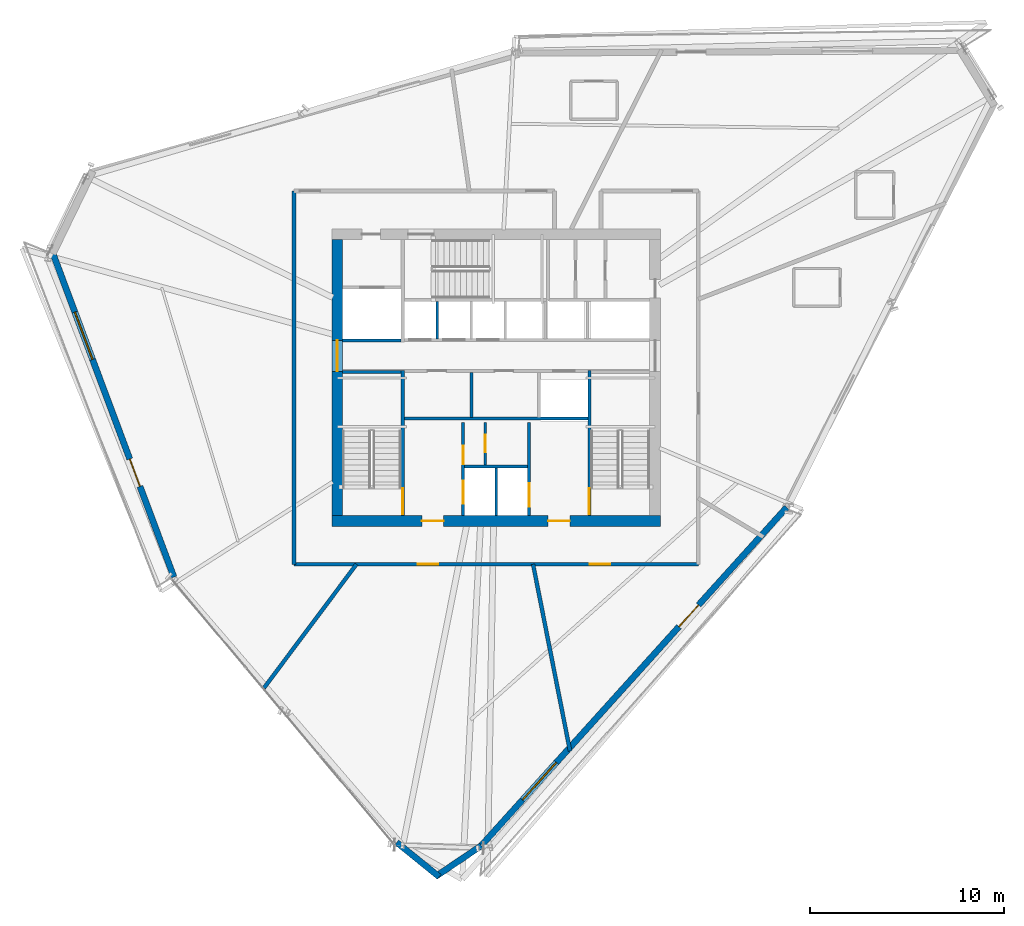
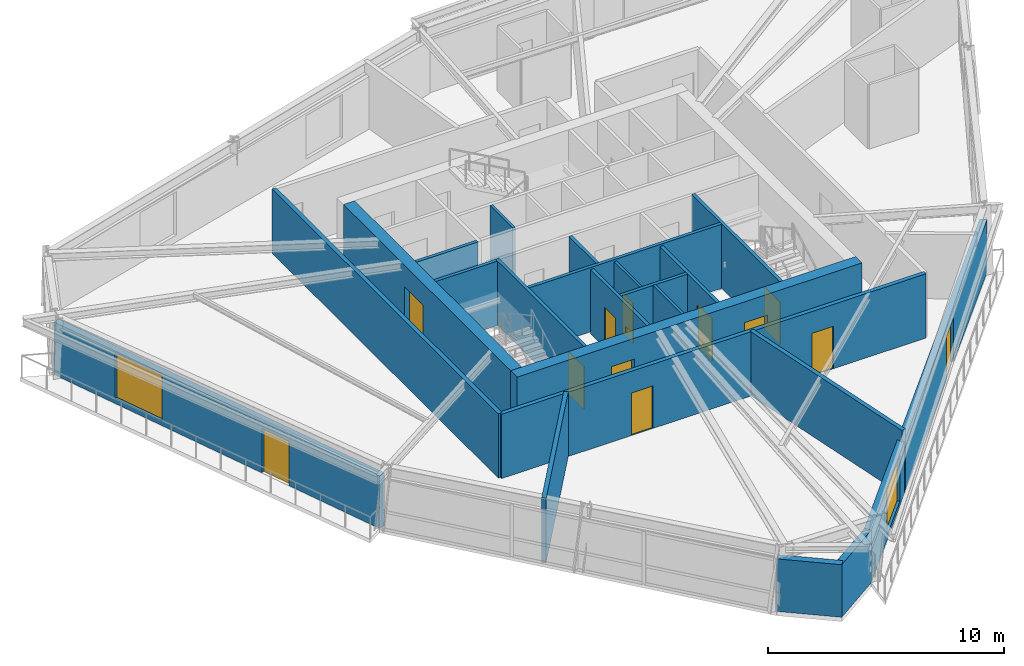
# One storey, part 9 of 15: 22 walls, 13 doors, 2 windows, 15 openings.
"""IFC4 building model written with IfcOpenShell, lengths in metres."""

from ifc_helpers import new_model, si_unit, direction, frame, frame_2d, origin, place, context, subcontext, project, spatial, rectangle, extrude, source, transform, mapped, material, layer, layer_set, type_object, type_shapes, element, fill, save


model = new_model("IFC4")

# Units and contexts
model_context = context("Model", 3, precision=1e-05, world=origin(), true_north=direction((0.0, 1.0)))
body_context = subcontext(model_context, "Body", "Model", "MODEL_VIEW")
ifc_project = project(units=[si_unit("LENGTHUNIT", "METRE"), si_unit("AREAUNIT", "SQUARE_METRE"), si_unit("VOLUMEUNIT", "CUBIC_METRE"), si_unit("PLANEANGLEUNIT", "RADIAN"), si_unit("MASSUNIT", "GRAM", prefix="KILO")], contexts=[model_context])

# Site, building, storey
site_placement = place(None, origin())
site = spatial("IfcSite", under=ifc_project, at=site_placement, CompositionType="ELEMENT")
building_placement = place(site_placement, origin())
building = spatial("IfcBuilding", under=site, at=building_placement, Name="Olszyna Solenne Hotel", CompositionType="ELEMENT")
storey_placement = place(building_placement, frame((0.0, 0.0, 164.35009765625)))
storey = spatial("IfcBuildingStorey", under=building, at=storey_placement, Name="L43", CompositionType="ELEMENT", Elevation=164.35009765625)

# Wall, openings, doors
ifc_material_1 = material(Name="Concrete C50/60", Category="concrete")
ifc_layer_1 = layer(ifc_material_1, 0.550048828125, Name="Concrete C50/60")
ifc_layer_set_1 = layer_set([ifc_layer_1], Name="Concrete C50/60")
wall_type_1 = type_object("IfcWallType", Name="WL-CR550", PredefinedType="SHEAR", material=ifc_layer_set_1)
wall_1_placement = place(storey_placement, frame((46.449951171875, 19.22509765625, 0.0), z_axis=(0.0, 0.0, 1.0), x_axis=(-1.0, 0.0, 0.0)))
wall_1 = element("IfcWall", 1, at=wall_1_placement, inside=storey, type_object=wall_type_1, Name="Core shear wall WL-CR550 CRW-L43-S", PredefinedType="SHEAR", context=body_context, shape_type="SweptSolid", body=[
    extrude(rectangle(XDim=16.89990234375, YDim=0.550048828125, at=frame_2d((8.449951171875, 0.0))), origin(), (0.0, 0.0, 1.0), 3.329833984375),
])
opening_1_placement = place(wall_1_placement, frame((4.64990234375, 0.0, 0.0)))
opening_1 = element("IfcOpeningElement", 2, at=opening_1_placement, cuts=wall_1, Name="Opening FL-L43-1", PredefinedType="OPENING", context=body_context, shape_type="SweptSolid", body=[
    extrude(rectangle(XDim=1.1201171875, YDim=2.25, at=frame_2d((0.56005859375, 1.125))), frame((0.0, 0.28515625, 0.0), z_axis=(0.0, -1.0, 0.0), x_axis=(1.0, 0.0, 0.0)), (0.0, 0.0, 1.0), 0.570068359375),
])
opening_2_placement = place(wall_1_placement, frame((11.14990234375, 0.0, 0.0)))
opening_2 = element("IfcOpeningElement", 3, at=opening_2_placement, cuts=wall_1, Name="Opening FL-L43-2", PredefinedType="OPENING", context=body_context, shape_type="SweptSolid", body=[
    extrude(rectangle(XDim=1.1201171875, YDim=2.25, at=frame_2d((0.56005859375, 1.125))), frame((0.0, 0.28515625, 0.0), z_axis=(0.0, -1.0, 0.0), x_axis=(1.0, 0.0, 0.0)), (0.0, 0.0, 1.0), 0.570068359375),
])
ifc_material_2 = material(Name="Steel S355J2", Category="steel")
door_type_1 = type_object("IfcDoorType", Name="DR-FL1", OperationType="NOTDEFINED", PredefinedType="DOOR", material=ifc_material_2)
shared_shape_1 = source(origin(), body_context, "Body", "SweptSolid", [
    extrude(rectangle(XDim=1.1201171875, YDim=2.25, at=frame_2d((0.56005859375, 1.125))), frame((0.0, 0.02490234375, 0.0), z_axis=(0.0, -1.0, 0.0), x_axis=(1.0, 0.0, 0.0)), (0.0, 0.0, 1.0), 0.050048828125),
])
type_shapes(door_type_1, [shared_shape_1])
door_1_placement = place(opening_1_placement, origin())
door_1 = element("IfcDoor", 4, at=door_1_placement, inside=storey, type_object=door_type_1, Name="Firefighting lift lobby smoke door FL-L43-1", OperationType="SINGLE_SWING_LEFT", OverallHeight=2.25, OverallWidth=1.1201171875, PredefinedType="DOOR", context=body_context, shape_type="MappedRepresentation", body=[
    mapped(shared_shape_1, transform((0.0, 0.0, 0.0), x_axis=(1.0, 0.0, 0.0), y_axis=(0.0, 1.0, 0.0), z_axis=(0.0, 0.0, 1.0), scale=1.0)),
])
fill(opening_1, door_1)
door_2_placement = place(opening_2_placement, origin())
door_2 = element("IfcDoor", 5, at=door_2_placement, inside=storey, type_object=door_type_1, Name="Firefighting lift lobby smoke door FL-L43-2", OperationType="SINGLE_SWING_RIGHT", OverallHeight=2.25, OverallWidth=1.1201171875, PredefinedType="DOOR", context=body_context, shape_type="MappedRepresentation", body=[
    mapped(shared_shape_1, transform((0.0, 0.0, 0.0), x_axis=(1.0, 0.0, 0.0), y_axis=(0.0, 1.0, 0.0), z_axis=(0.0, 0.0, 1.0), scale=1.0)),
])
fill(opening_2, door_2)

# Wall, opening, door
wall_2_placement = place(storey_placement, frame((29.824951171875, 19.5, 0.0), z_axis=(0.0, 0.0, 1.0), x_axis=(0.0, 1.0, 0.0)))
wall_2 = element("IfcWall", 6, at=wall_2_placement, inside=storey, type_object=wall_type_1, Name="Core shear wall WL-CR550 CRW-L43-W", PredefinedType="SHEAR", context=body_context, shape_type="SweptSolid", body=[
    extrude(rectangle(XDim=14.199951171875, YDim=0.550048828125, at=frame_2d((7.10009765625, 0.0))), origin(), (0.0, 0.0, 1.0), 3.329833984375),
])
opening_3_placement = place(wall_2_placement, frame((7.419921875, 0.0, 0.0)))
opening_3 = element("IfcOpeningElement", 7, at=opening_3_placement, cuts=wall_2, Name="Opening LHD-L43-W", PredefinedType="OPENING", context=body_context, shape_type="SweptSolid", body=[
    extrude(rectangle(XDim=1.60009765625, YDim=2.199951171875, at=frame_2d((0.800048828125, 1.10009765625))), frame((0.0, 0.28515625, 0.0), z_axis=(0.0, -1.0, 0.0), x_axis=(1.0, 0.0, 0.0)), (0.0, 0.0, 1.0), 0.570068359375),
])
ifc_material_3 = material(Name="Timber hardwood", Category="wood")
door_type_2 = type_object("IfcDoorType", Name="DR-CR1", OperationType="DOUBLE_DOOR_SINGLE_SWING", PredefinedType="DOOR", material=ifc_material_3)
shared_shape_2 = source(origin(), body_context, "Body", "SweptSolid", [
    extrude(rectangle(XDim=1.60009765625, YDim=2.199951171875, at=frame_2d((0.800048828125, 1.10009765625))), frame((0.0, 0.02490234375, 0.0), z_axis=(0.0, -1.0, 0.0), x_axis=(1.0, 0.0, 0.0)), (0.0, 0.0, 1.0), 0.050048828125),
])
type_shapes(door_type_2, [shared_shape_2])
door_3_placement = place(opening_3_placement, origin())
door_3 = element("IfcDoor", 8, at=door_3_placement, inside=storey, type_object=door_type_2, Name="Passenger lift lobby West fire door LHD-L43-W", OperationType="DOUBLE_DOOR_SINGLE_SWING", OverallHeight=2.199951171875, OverallWidth=1.60009765625, PredefinedType="DOOR", context=body_context, shape_type="MappedRepresentation", body=[
    mapped(shared_shape_2, transform((0.0, 0.0, 0.0), x_axis=(1.0, 0.0, 0.0), y_axis=(0.0, 1.0, 0.0), z_axis=(0.0, 0.0, 1.0), scale=1.0)),
])
fill(opening_3, door_3)

# Wall, openings, door, window
ifc_material_4 = material(Name="Precast concrete C45/55", Category="concrete")
ifc_layer_2 = layer(ifc_material_4, 0.320068359375, Name="Precast concrete C45/55")
ifc_layer_set_2 = layer_set([ifc_layer_2], Name="Precast concrete C45/55")
wall_type_2 = type_object("IfcWallType", Name="WL-EX320", PredefinedType="SOLIDWALL", material=ifc_layer_set_2)
wall_3_placement = place(storey_placement, frame((52.94287109375, 19.921630859375, 0.0), z_axis=(0.0, 0.0, 1.0), x_axis=(-0.670163184214, -0.742213787614, 0.0)))
wall_3 = element("IfcWall", 9, at=wall_3_placement, inside=storey, type_object=wall_type_2, Name="Exterior terracotta-precast frame wall WL-EX320 EW-L43-01", PredefinedType="SOLIDWALL", context=body_context, shape_type="SweptSolid", body=[
    extrude(rectangle(XDim=23.471923828125, YDim=0.320068359375, at=frame_2d((11.73583984375, 0.0))), origin(), (0.0, 0.0, 1.0), 2.721923828125),
])
opening_4_placement = place(wall_3_placement, frame((6.760986328125, 0.0, 0.0)))
opening_4 = element("IfcOpeningElement", 10, at=opening_4_placement, cuts=wall_3, Name="Opening LDG-L43-3", PredefinedType="OPENING", context=body_context, shape_type="SweptSolid", body=[
    extrude(rectangle(XDim=1.5, YDim=2.300048828125, at=frame_2d((0.75, 1.14990234375))), frame((0.0, 0.169921875, 0.0), z_axis=(0.0, -1.0, 0.0), x_axis=(1.0, 0.0, 0.0)), (0.0, 0.0, 1.0), 0.340087890625),
])
opening_5_placement = place(wall_3_placement, frame((17.6689453125, 0.0, 0.251953125)))
opening_5 = element("IfcOpeningElement", 11, at=opening_5_placement, cuts=wall_3, Name="Opening WN-L43-262", PredefinedType="OPENING", context=body_context, shape_type="SweptSolid", body=[
    extrude(rectangle(XDim=2.60009765625, YDim=2.35009765625, at=frame_2d((1.300048828125, 1.175048828125))), frame((0.0, 0.169921875, 0.0), z_axis=(0.0, -1.0, 0.0), x_axis=(1.0, 0.0, 0.0)), (0.0, 0.0, 1.0), 0.340087890625),
])
ifc_material_5 = material(Name="Anodised bronze aluminium", Category="aluminium")
door_type_3 = type_object("IfcDoorType", Name="DR-LG2", OperationType="DOUBLE_DOOR_SINGLE_SWING", PredefinedType="DOOR", material=ifc_material_5)
shared_shape_3 = source(origin(), body_context, "Body", "SweptSolid", [
    extrude(rectangle(XDim=1.5, YDim=2.300048828125, at=frame_2d((0.75, 1.14990234375))), frame((0.0, 0.02490234375, 0.0), z_axis=(0.0, -1.0, 0.0), x_axis=(1.0, 0.0, 0.0)), (0.0, 0.0, 1.0), 0.050048828125),
])
type_shapes(door_type_3, [shared_shape_3])
door_4_placement = place(opening_4_placement, origin())
door_4 = element("IfcDoor", 12, at=door_4_placement, inside=storey, type_object=door_type_3, Name="Exterior loggia balcony door DR-LG2 LDG-L43-3", OperationType="DOUBLE_DOOR_SINGLE_SWING", OverallHeight=2.300048828125, OverallWidth=1.5, PredefinedType="DOOR", context=body_context, shape_type="MappedRepresentation", body=[
    mapped(shared_shape_3, transform((0.0, 0.0, 0.0), x_axis=(1.0, 0.0, 0.0), y_axis=(0.0, 1.0, 0.0), z_axis=(0.0, 0.0, 1.0), scale=1.0)),
])
fill(opening_4, door_4)
ifc_material_6 = material(Name="Low-E triple glazing", Category="glass")
window_type = type_object("IfcWindowType", Name="WN-ST1", PartitioningType="SINGLE_PANEL", PredefinedType="WINDOW", material=ifc_material_6)
shared_shape_4 = source(origin(), body_context, "Body", "SweptSolid", [
    extrude(rectangle(XDim=2.60009765625, YDim=2.35009765625, at=frame_2d((1.300048828125, 1.175048828125))), frame((0.0, 0.030029296875, 0.0), z_axis=(0.0, -1.0, 0.0), x_axis=(1.0, 0.0, 0.0)), (0.0, 0.0, 1.0), 0.06005859375),
])
type_shapes(window_type, [shared_shape_4])
window_1_placement = place(opening_5_placement, origin())
window_1 = element("IfcWindow", 13, at=window_1_placement, inside=storey, type_object=window_type, Name="Loggia room window WN-ST1 WN-L43-262", OverallHeight=2.35009765625, OverallWidth=2.60009765625, PartitioningType="SINGLE_PANEL", PredefinedType="WINDOW", context=body_context, shape_type="MappedRepresentation", body=[
    mapped(shared_shape_4, transform((0.0, 0.0, 0.0), x_axis=(1.0, 0.0, 0.0), y_axis=(0.0, 1.0, 0.0), z_axis=(0.0, 0.0, 1.0), scale=1.0)),
])
fill(opening_5, window_1)

# Walls
wall_4_placement = place(storey_placement, frame((37.2421875, 2.52587890625, 0.0), z_axis=(0.0, 0.0, 1.0), x_axis=(-0.829005606427, -0.559240292283, 0.0)))
element("IfcWall", 14, at=wall_4_placement, inside=storey, type_object=wall_type_2, Name="Exterior terracotta-precast frame wall WL-EX320 EW-L43-02", PredefinedType="SOLIDWALL", context=body_context, shape_type="SweptSolid", body=[
    extrude(rectangle(XDim=2.848876953125, YDim=0.320068359375, at=frame_2d((1.42431640625, 0.0))), origin(), (0.0, 0.0, 1.0), 2.721923828125),
])
wall_5_placement = place(storey_placement, frame((35.070556640625, 0.92431640625, 0.0), z_axis=(0.0, 0.0, 1.0), x_axis=(-0.776943093124, 0.629570830048, 0.0)))
element("IfcWall", 15, at=wall_5_placement, inside=storey, type_object=wall_type_2, Name="Exterior terracotta-precast frame wall WL-EX320 EW-L43-03", PredefinedType="SOLIDWALL", context=body_context, shape_type="SweptSolid", body=[
    extrude(rectangle(XDim=2.807861328125, YDim=0.320068359375, at=frame_2d((1.40380859375, 0.0))), origin(), (0.0, 0.0, 1.0), 2.721923828125),
])

# Wall, openings, door, window
wall_6_placement = place(storey_placement, frame((21.424560546875, 16.341064453125, 0.0), z_axis=(0.0, 0.0, 1.0), x_axis=(-0.350123773093, 0.936703444808, 0.0)))
wall_6 = element("IfcWall", 16, at=wall_6_placement, inside=storey, type_object=wall_type_2, Name="Exterior terracotta-precast frame wall WL-EX320 EW-L43-05", PredefinedType="SOLIDWALL", context=body_context, shape_type="SweptSolid", body=[
    extrude(rectangle(XDim=17.90869140625, YDim=0.320068359375, at=frame_2d((8.954345703125, 0.0))), origin(), (0.0, 0.0, 1.0), 2.721923828125),
])
opening_6_placement = place(wall_6_placement, frame((4.98095703125, 0.0, 0.0)))
opening_6 = element("IfcOpeningElement", 17, at=opening_6_placement, cuts=wall_6, Name="Opening LDG-L43-2", PredefinedType="OPENING", context=body_context, shape_type="SweptSolid", body=[
    extrude(rectangle(XDim=1.5, YDim=2.300048828125, at=frame_2d((0.75, 1.14990234375))), frame((0.0, 0.169921875, 0.0), z_axis=(0.0, -1.0, 0.0), x_axis=(1.0, 0.0, 0.0)), (0.0, 0.0, 1.0), 0.340087890625),
])
opening_7_placement = place(wall_6_placement, frame((11.951904296875, 0.0, 0.251953125)))
opening_7 = element("IfcOpeningElement", 18, at=opening_7_placement, cuts=wall_6, Name="Opening WN-L43-263", PredefinedType="OPENING", context=body_context, shape_type="SweptSolid", body=[
    extrude(rectangle(XDim=2.60009765625, YDim=2.35009765625, at=frame_2d((1.300048828125, 1.175048828125))), frame((0.0, 0.169921875, 0.0), z_axis=(0.0, -1.0, 0.0), x_axis=(1.0, 0.0, 0.0)), (0.0, 0.0, 1.0), 0.340087890625),
])
door_5_placement = place(opening_6_placement, origin())
door_5 = element("IfcDoor", 19, at=door_5_placement, inside=storey, type_object=door_type_3, Name="Exterior loggia balcony door DR-LG2 LDG-L43-2", OperationType="DOUBLE_DOOR_SINGLE_SWING", OverallHeight=2.300048828125, OverallWidth=1.5, PredefinedType="DOOR", context=body_context, shape_type="MappedRepresentation", body=[
    mapped(shared_shape_3, transform((0.0, 0.0, 0.0), x_axis=(1.0, 0.0, 0.0), y_axis=(0.0, 1.0, 0.0), z_axis=(0.0, 0.0, 1.0), scale=1.0)),
])
fill(opening_6, door_5)
window_2_placement = place(opening_7_placement, origin())
window_2 = element("IfcWindow", 20, at=window_2_placement, inside=storey, type_object=window_type, Name="Loggia room window WN-ST1 WN-L43-263", OverallHeight=2.35009765625, OverallWidth=2.60009765625, PartitioningType="SINGLE_PANEL", PredefinedType="WINDOW", context=body_context, shape_type="MappedRepresentation", body=[
    mapped(shared_shape_4, transform((0.0, 0.0, 0.0), x_axis=(1.0, 0.0, 0.0), y_axis=(0.0, 1.0, 0.0), z_axis=(0.0, 0.0, 1.0), scale=1.0)),
])
fill(opening_7, window_2)

# Wall
ifc_material_7 = material(Name="Acoustic gypsum partition", Category="gypsum")
ifc_layer_3 = layer(ifc_material_7, 0.125, Name="Acoustic gypsum partition")
ifc_layer_set_3 = layer_set([ifc_layer_3], Name="Acoustic gypsum partition")
wall_type_3 = type_object("IfcWallType", Name="WL-PT125", PredefinedType="PARTITIONING", material=ifc_layer_set_3)
wall_7_placement = place(storey_placement, frame((38.0, 19.5, 0.0), z_axis=(0.0, 0.0, 1.0), x_axis=(0.0, 1.0, 0.0)))
element("IfcWall", 21, at=wall_7_placement, inside=storey, type_object=wall_type_3, Name="Core shaft compartment wall CW-L43-FFM", PredefinedType="PARTITIONING", context=body_context, shape_type="SweptSolid", body=[
    extrude(rectangle(XDim=2.4599609375, YDim=0.125, at=frame_2d((1.22998046875, 0.0))), origin(), (0.0, 0.0, 1.0), 3.329833984375),
])

# Wall, opening, door
wall_8_placement = place(storey_placement, frame((37.44189453125, 22.10009765625, 0.0), z_axis=(0.0, 0.0, 1.0), x_axis=(0.0, 1.0, 0.0)))
wall_8 = element("IfcWall", 22, at=wall_8_placement, inside=storey, type_object=wall_type_3, Name="Core shaft compartment wall CW-L43-SC3", PredefinedType="PARTITIONING", context=body_context, shape_type="SweptSolid", body=[
    extrude(rectangle(XDim=2.179931640625, YDim=0.125, at=frame_2d((1.08984375, 0.0))), origin(), (0.0, 0.0, 1.0), 3.329833984375),
])
opening_8_placement = place(wall_8_placement, frame((0.64990234375, 0.0, 0.0)))
opening_8 = element("IfcOpeningElement", 23, at=opening_8_placement, cuts=wall_8, Name="Opening SVD-L43-SC3", PredefinedType="OPENING", context=body_context, shape_type="SweptSolid", body=[
    extrude(rectangle(XDim=0.89990234375, YDim=2.10009765625, at=frame_2d((0.449951171875, 1.050048828125))), frame((0.0, 0.072509765625, 0.0), z_axis=(0.0, -1.0, 0.0), x_axis=(1.0, 0.0, 0.0)), (0.0, 0.0, 1.0), 0.14501953125),
])
door_type_4 = type_object("IfcDoorType", Name="DR-WC1", OperationType="NOTDEFINED", PredefinedType="DOOR", material=ifc_material_3)
shared_shape_5 = source(origin(), body_context, "Body", "SweptSolid", [
    extrude(rectangle(XDim=0.89990234375, YDim=2.10009765625, at=frame_2d((0.449951171875, 1.050048828125))), frame((0.0, 0.02490234375, 0.0), z_axis=(0.0, -1.0, 0.0), x_axis=(1.0, 0.0, 0.0)), (0.0, 0.0, 1.0), 0.050048828125),
])
type_shapes(door_type_4, [shared_shape_5])
door_6_placement = place(opening_8_placement, origin())
door_6 = element("IfcDoor", 24, at=door_6_placement, inside=storey, type_object=door_type_4, Name="Trolley bay door SVD-L43-SC3", OperationType="SINGLE_SWING_LEFT", OverallHeight=2.10009765625, OverallWidth=0.89990234375, PredefinedType="DOOR", context=body_context, shape_type="MappedRepresentation", body=[
    mapped(shared_shape_5, transform((0.0, 0.0, 0.0), x_axis=(1.0, 0.0, 0.0), y_axis=(0.0, 1.0, 0.0), z_axis=(0.0, 0.0, 1.0), scale=1.0)),
])
fill(opening_8, door_6)

# Wall
wall_9_placement = place(storey_placement, frame((34.965087890625, 28.60009765625, 0.0), z_axis=(0.0, 0.0, 1.0), x_axis=(0.0, 1.0, 0.0)))
element("IfcWall", 25, at=wall_9_placement, inside=storey, type_object=wall_type_3, Name="Core shaft compartment wall CW-L43-DIVN349", PredefinedType="PARTITIONING", context=body_context, shape_type="SweptSolid", body=[
    extrude(rectangle(XDim=1.919921875, YDim=0.125, at=frame_2d((0.9599609375, 0.0))), origin(), (0.0, 0.0, 1.0), 3.329833984375),
])

# Wall, opening, door
ifc_layer_4 = layer(ifc_material_7, 0.159912109375, Name="Acoustic gypsum partition")
ifc_layer_set_4 = layer_set([ifc_layer_4], Name="Acoustic gypsum partition")
wall_type_4 = type_object("IfcWallType", Name="WL-PT160", PredefinedType="PARTITIONING", material=ifc_layer_set_4)
wall_10_placement = place(storey_placement, frame((33.199951171875, 19.5, 0.0), z_axis=(0.0, 0.0, 1.0), x_axis=(0.0, 1.0, 0.0)))
wall_10 = element("IfcWall", 26, at=wall_10_placement, inside=storey, type_object=wall_type_4, Name="Core shaft compartment wall CW-L43-ST1E", PredefinedType="PARTITIONING", context=body_context, shape_type="SweptSolid", body=[
    extrude(rectangle(XDim=7.4599609375, YDim=0.159912109375, at=frame_2d((3.72998046875, 0.0))), origin(), (0.0, 0.0, 1.0), 3.329833984375),
])
opening_9_placement = place(wall_10_placement, frame((0.080078125, 0.0, 0.0)))
opening_9 = element("IfcOpeningElement", 27, at=opening_9_placement, cuts=wall_10, Name="Opening STD-L43-01", PredefinedType="OPENING", context=body_context, shape_type="SweptSolid", body=[
    extrude(rectangle(XDim=1.320068359375, YDim=2.199951171875, at=frame_2d((0.66015625, 1.10009765625))), frame((0.0, 0.08984375, 0.0), z_axis=(0.0, -1.0, 0.0), x_axis=(1.0, 0.0, 0.0)), (0.0, 0.0, 1.0), 0.179931640625),
])
door_type_5 = type_object("IfcDoorType", Name="DR-ST1", OperationType="NOTDEFINED", PredefinedType="DOOR", material=ifc_material_2)
shared_shape_6 = source(origin(), body_context, "Body", "SweptSolid", [
    extrude(rectangle(XDim=1.320068359375, YDim=2.199951171875, at=frame_2d((0.66015625, 1.10009765625))), frame((0.0, 0.02490234375, 0.0), z_axis=(0.0, -1.0, 0.0), x_axis=(1.0, 0.0, 0.0)), (0.0, 0.0, 1.0), 0.050048828125),
])
type_shapes(door_type_5, [shared_shape_6])
door_7_placement = place(opening_9_placement, origin())
door_7 = element("IfcDoor", 28, at=door_7_placement, inside=storey, type_object=door_type_5, Name="Pressurised exit stair ST1 fire door STD-L43-01", OperationType="SINGLE_SWING_LEFT", OverallHeight=2.199951171875, OverallWidth=1.320068359375, PredefinedType="DOOR", context=body_context, shape_type="MappedRepresentation", body=[
    mapped(shared_shape_6, transform((0.0, 0.0, 0.0), x_axis=(1.0, 0.0, 0.0), y_axis=(0.0, 1.0, 0.0), z_axis=(0.0, 0.0, 1.0), scale=1.0)),
])
fill(opening_9, door_7)

# Wall
wall_11_placement = place(storey_placement, frame((30.10009765625, 26.8798828125, 0.0), z_axis=(0.0, 0.0, 1.0), x_axis=(1.0, 0.0, 0.0)))
element("IfcWall", 29, at=wall_11_placement, inside=storey, type_object=wall_type_4, Name="Core shaft compartment wall CW-L43-ST1N", PredefinedType="PARTITIONING", context=body_context, shape_type="SweptSolid", body=[
    extrude(rectangle(XDim=3.02001953125, YDim=0.159912109375, at=frame_2d((1.510009765625, 0.0))), origin(), (0.0, 0.0, 1.0), 3.329833984375),
])

# Wall, opening, door
wall_12_placement = place(storey_placement, frame((42.800048828125, 26.9599609375, 0.0), z_axis=(0.0, 0.0, 1.0), x_axis=(0.0, -1.0, 0.0)))
wall_12 = element("IfcWall", 30, at=wall_12_placement, inside=storey, type_object=wall_type_4, Name="Core shaft compartment wall CW-L43-ST2W", PredefinedType="PARTITIONING", context=body_context, shape_type="SweptSolid", body=[
    extrude(rectangle(XDim=7.4599609375, YDim=0.159912109375, at=frame_2d((3.72998046875, 0.0))), origin(), (0.0, 0.0, 1.0), 3.329833984375),
])
opening_10_placement = place(wall_12_placement, frame((6.06005859375, 0.0, 0.0)))
opening_10 = element("IfcOpeningElement", 31, at=opening_10_placement, cuts=wall_12, Name="Opening STD-L43-02", PredefinedType="OPENING", context=body_context, shape_type="SweptSolid", body=[
    extrude(rectangle(XDim=1.320068359375, YDim=2.199951171875, at=frame_2d((0.66015625, 1.10009765625))), frame((0.0, 0.08984375, 0.0), z_axis=(0.0, -1.0, 0.0), x_axis=(1.0, 0.0, 0.0)), (0.0, 0.0, 1.0), 0.179931640625),
])
door_8_placement = place(opening_10_placement, origin())
door_8 = element("IfcDoor", 32, at=door_8_placement, inside=storey, type_object=door_type_5, Name="Pressurised exit stair ST2 fire door STD-L43-02", OperationType="SINGLE_SWING_RIGHT", OverallHeight=2.199951171875, OverallWidth=1.320068359375, PredefinedType="DOOR", context=body_context, shape_type="MappedRepresentation", body=[
    mapped(shared_shape_6, transform((0.0, 0.0, 0.0), x_axis=(1.0, 0.0, 0.0), y_axis=(0.0, 1.0, 0.0), z_axis=(0.0, 0.0, 1.0), scale=1.0)),
])
fill(opening_10, door_8)

# Wall, openings, doors
wall_13_placement = place(storey_placement, frame((36.300048828125, 19.5, 0.0), z_axis=(0.0, 0.0, 1.0), x_axis=(0.0, 1.0, 0.0)))
wall_13 = element("IfcWall", 33, at=wall_13_placement, inside=storey, type_object=wall_type_4, Name="Core shaft compartment wall CW-L43-FF1W", PredefinedType="PARTITIONING", context=body_context, shape_type="SweptSolid", body=[
    extrude(rectangle(XDim=4.780029296875, YDim=0.159912109375, at=frame_2d((2.39013671875, 0.0))), origin(), (0.0, 0.0, 1.0), 3.329833984375),
])
opening_11_placement = place(wall_13_placement, frame((0.60009765625, 0.0, 0.0)))
opening_11 = element("IfcOpeningElement", 34, at=opening_11_placement, cuts=wall_13, Name="Opening LD-L43-FF1", PredefinedType="OPENING", context=body_context, shape_type="SweptSolid", body=[
    extrude(rectangle(XDim=1.199951171875, YDim=2.199951171875, at=frame_2d((0.60009765625, 1.10009765625))), frame((0.0, 0.08984375, 0.0), z_axis=(0.0, -1.0, 0.0), x_axis=(1.0, 0.0, 0.0)), (0.0, 0.0, 1.0), 0.179931640625),
])
opening_12_placement = place(wall_13_placement, frame((2.64990234375, 0.0, 0.0)))
opening_12 = element("IfcOpeningElement", 35, at=opening_12_placement, cuts=wall_13, Name="Opening SVD-L43-SMK", PredefinedType="OPENING", context=body_context, shape_type="SweptSolid", body=[
    extrude(rectangle(XDim=0.949951171875, YDim=2.10009765625, at=frame_2d((0.47509765625, 1.050048828125))), frame((0.0, 0.08984375, 0.0), z_axis=(0.0, -1.0, 0.0), x_axis=(1.0, 0.0, 0.0)), (0.0, 0.0, 1.0), 0.179931640625),
])
door_type_6 = type_object("IfcDoorType", Name="DR-SV1", OperationType="NOTDEFINED", PredefinedType="DOOR", material=ifc_material_2)
shared_shape_7 = source(origin(), body_context, "Body", "SweptSolid", [
    extrude(rectangle(XDim=0.949951171875, YDim=2.10009765625, at=frame_2d((0.47509765625, 1.050048828125))), frame((0.0, 0.02490234375, 0.0), z_axis=(0.0, -1.0, 0.0), x_axis=(1.0, 0.0, 0.0)), (0.0, 0.0, 1.0), 0.050048828125),
])
type_shapes(door_type_6, [shared_shape_7])
door_9_placement = place(opening_12_placement, origin())
door_9 = element("IfcDoor", 36, at=door_9_placement, inside=storey, type_object=door_type_6, Name="Valet and core service room door SVD-L43-SMK", OperationType="SINGLE_SWING_LEFT", OverallHeight=2.10009765625, OverallWidth=0.949951171875, PredefinedType="DOOR", context=body_context, shape_type="MappedRepresentation", body=[
    mapped(shared_shape_7, transform((0.0, 0.0, 0.0), x_axis=(1.0, 0.0, 0.0), y_axis=(0.0, 1.0, 0.0), z_axis=(0.0, 0.0, 1.0), scale=1.0)),
])
fill(opening_12, door_9)
door_type_7 = type_object("IfcDoorType", Name="LD-FF1", OperationType="DOUBLE_DOOR_SLIDING", PredefinedType="DOOR", material=ifc_material_2)
shared_shape_8 = source(origin(), body_context, "Body", "SweptSolid", [
    extrude(rectangle(XDim=1.199951171875, YDim=2.199951171875, at=frame_2d((0.60009765625, 1.10009765625))), frame((0.0, 0.02490234375, 0.0), z_axis=(0.0, -1.0, 0.0), x_axis=(1.0, 0.0, 0.0)), (0.0, 0.0, 1.0), 0.050048828125),
])
type_shapes(door_type_7, [shared_shape_8])
door_10_placement = place(opening_11_placement, origin())
door_10 = element("IfcDoor", 37, at=door_10_placement, inside=storey, type_object=door_type_7, Name="Firefighters lift FF1 sliding landing door LD-L43-FF1", OperationType="DOUBLE_DOOR_SLIDING", OverallHeight=2.199951171875, OverallWidth=1.199951171875, PredefinedType="DOOR", context=body_context, shape_type="MappedRepresentation", body=[
    mapped(shared_shape_8, transform((0.0, 0.0, 0.0), x_axis=(1.0, 0.0, 0.0), y_axis=(0.0, 1.0, 0.0), z_axis=(0.0, 0.0, 1.0), scale=1.0)),
])
fill(opening_11, door_10)

# Wall, opening, door
wall_14_placement = place(storey_placement, frame((39.699951171875, 24.280029296875, 0.0), z_axis=(0.0, 0.0, 1.0), x_axis=(0.0, -1.0, 0.0)))
wall_14 = element("IfcWall", 38, at=wall_14_placement, inside=storey, type_object=wall_type_4, Name="Core shaft compartment wall CW-L43-FF2E", PredefinedType="PARTITIONING", context=body_context, shape_type="SweptSolid", body=[
    extrude(rectangle(XDim=4.780029296875, YDim=0.159912109375, at=frame_2d((2.39013671875, 0.0))), origin(), (0.0, 0.0, 1.0), 3.329833984375),
])
opening_13_placement = place(wall_14_placement, frame((3.1201171875, 0.0, 0.0)))
opening_13 = element("IfcOpeningElement", 39, at=opening_13_placement, cuts=wall_14, Name="Opening LD-L43-FF2", PredefinedType="OPENING", context=body_context, shape_type="SweptSolid", body=[
    extrude(rectangle(XDim=1.199951171875, YDim=2.199951171875, at=frame_2d((0.60009765625, 1.10009765625))), frame((0.0, 0.08984375, 0.0), z_axis=(0.0, -1.0, 0.0), x_axis=(1.0, 0.0, 0.0)), (0.0, 0.0, 1.0), 0.179931640625),
])
door_11_placement = place(opening_13_placement, origin())
door_11 = element("IfcDoor", 40, at=door_11_placement, inside=storey, type_object=door_type_7, Name="Firefighters lift FF2 sliding landing door LD-L43-FF2", OperationType="DOUBLE_DOOR_SLIDING", OverallHeight=2.199951171875, OverallWidth=1.199951171875, PredefinedType="DOOR", context=body_context, shape_type="MappedRepresentation", body=[
    mapped(shared_shape_8, transform((0.0, 0.0, 0.0), x_axis=(1.0, 0.0, 0.0), y_axis=(0.0, 1.0, 0.0), z_axis=(0.0, 0.0, 1.0), scale=1.0)),
])
fill(opening_13, door_11)

# Walls
wall_15_placement = place(storey_placement, frame((36.3798828125, 22.02001953125, 0.0), z_axis=(0.0, 0.0, 1.0), x_axis=(1.0, 0.0, 0.0)))
element("IfcWall", 41, at=wall_15_placement, inside=storey, type_object=wall_type_4, Name="Core shaft compartment wall CW-L43-FFN", PredefinedType="PARTITIONING", context=body_context, shape_type="SweptSolid", body=[
    extrude(rectangle(XDim=3.240234375, YDim=0.159912109375, at=frame_2d((1.6201171875, 0.0))), origin(), (0.0, 0.0, 1.0), 3.329833984375),
])
wall_16_placement = place(storey_placement, frame((33.280029296875, 24.489990234375, 0.0), z_axis=(0.0, 0.0, 1.0), x_axis=(1.0, 0.0, 0.0)))
element("IfcWall", 42, at=wall_16_placement, inside=storey, type_object=wall_type_4, Name="Core shaft compartment wall CW-L43-FFBN", PredefinedType="PARTITIONING", context=body_context, shape_type="SweptSolid", body=[
    extrude(rectangle(XDim=9.43994140625, YDim=0.159912109375, at=frame_2d((4.719970703125, 0.0))), origin(), (0.0, 0.0, 1.0), 3.329833984375),
])
wall_17_placement = place(storey_placement, frame((30.10009765625, 28.52001953125, 0.0), z_axis=(0.0, 0.0, 1.0), x_axis=(1.0, 0.0, 0.0)))
element("IfcWall", 43, at=wall_17_placement, inside=storey, type_object=wall_type_4, Name="Core shaft compartment wall CW-L43-SV1S", PredefinedType="PARTITIONING", context=body_context, shape_type="SweptSolid", body=[
    extrude(rectangle(XDim=3.02001953125, YDim=0.159912109375, at=frame_2d((1.510009765625, 0.0))), origin(), (0.0, 0.0, 1.0), 3.329833984375),
])
wall_18_placement = place(storey_placement, frame((36.72998046875, 24.56005859375, 0.0), z_axis=(0.0, 0.0, 1.0), x_axis=(0.0, 1.0, 0.0)))
element("IfcWall", 44, at=wall_18_placement, inside=storey, type_object=wall_type_4, Name="Core shaft compartment wall CW-L43-LV7DIV1", PredefinedType="PARTITIONING", context=body_context, shape_type="SweptSolid", body=[
    extrude(rectangle(XDim=2.31005859375, YDim=0.159912109375, at=frame_2d((1.155029296875, 0.0))), origin(), (0.0, 0.0, 1.0), 3.329833984375),
])
ifc_layer_5 = layer(ifc_material_7, 0.199951171875, Name="Acoustic gypsum partition")
ifc_layer_set_5 = layer_set([ifc_layer_5], Name="Acoustic gypsum partition")
wall_type_5 = type_object("IfcWallType", Name="WL-PT200", PredefinedType="PARTITIONING", material=ifc_layer_set_5)
wall_19_placement = place(storey_placement, frame((30.818359375, 17.0, 0.0), z_axis=(0.0, 0.0, 1.0), x_axis=(-0.599036438664, -0.80072176513, 0.0)))
element("IfcWall", 45, at=wall_19_placement, inside=storey, type_object=wall_type_5, Name="Interior acoustic partition WL-PT200 PW-L43-2421", PredefinedType="PARTITIONING", context=body_context, shape_type="SweptSolid", body=[
    extrude(rectangle(XDim=7.949462890625, YDim=0.199951171875, at=frame_2d((3.974609375, 0.0))), origin(), (0.0, 0.0, 1.0), 3.329833984375),
])
wall_20_placement = place(storey_placement, frame((39.90087890625, 17.0, 0.0), z_axis=(0.0, 0.0, 1.0), x_axis=(0.194222602979, -0.98095748149, 0.0)))
element("IfcWall", 46, at=wall_20_placement, inside=storey, type_object=wall_type_5, Name="Interior acoustic partition WL-PT200 PW-L43-2422", PredefinedType="PARTITIONING", context=body_context, shape_type="SweptSolid", body=[
    extrude(rectangle(XDim=9.7958984375, YDim=0.199951171875, at=frame_2d((4.89794921875, 0.0))), origin(), (0.0, 0.0, 1.0), 3.329833984375),
])

# Wall, openings, doors
wall_21_placement = place(storey_placement, frame((27.60009765625, 17.0, 0.0), z_axis=(0.0, 0.0, 1.0), x_axis=(1.0, 0.0, 0.0)))
wall_21 = element("IfcWall", 47, at=wall_21_placement, inside=storey, type_object=wall_type_5, Name="Interior acoustic partition WL-PT200 PW-L43-2438", PredefinedType="PARTITIONING", context=body_context, shape_type="SweptSolid", body=[
    extrude(rectangle(XDim=20.7998046875, YDim=0.199951171875, at=frame_2d((10.39990234375, 0.0))), origin(), (0.0, 0.0, 1.0), 3.329833984375),
])
opening_14_placement = place(wall_21_placement, frame((6.363037109375, 0.0, 0.0)))
opening_14 = element("IfcOpeningElement", 48, at=opening_14_placement, cuts=wall_21, Name="Opening DR-L43-0588", PredefinedType="OPENING", context=body_context, shape_type="SweptSolid", body=[
    extrude(rectangle(XDim=1.050048828125, YDim=2.199951171875, at=frame_2d((0.52490234375, 1.10009765625))), frame((0.0, 0.10986328125, 0.0), z_axis=(0.0, -1.0, 0.0), x_axis=(1.0, 0.0, 0.0)), (0.0, 0.0, 1.0), 0.219970703125),
])
opening_15_placement = place(wall_21_placement, frame((15.2119140625, 0.0, 0.0)))
opening_15 = element("IfcOpeningElement", 49, at=opening_15_placement, cuts=wall_21, Name="Opening DR-L43-0589", PredefinedType="OPENING", context=body_context, shape_type="SweptSolid", body=[
    extrude(rectangle(XDim=1.050048828125, YDim=2.199951171875, at=frame_2d((0.52490234375, 1.10009765625))), frame((0.0, 0.10986328125, 0.0), z_axis=(0.0, -1.0, 0.0), x_axis=(1.0, 0.0, 0.0)), (0.0, 0.0, 1.0), 0.219970703125),
])
door_type_8 = type_object("IfcDoorType", Name="DR-RM2", OperationType="NOTDEFINED", PredefinedType="DOOR", material=ifc_material_3)
shared_shape_9 = source(origin(), body_context, "Body", "SweptSolid", [
    extrude(rectangle(XDim=1.050048828125, YDim=2.199951171875, at=frame_2d((0.52490234375, 1.10009765625))), frame((0.0, 0.02490234375, 0.0), z_axis=(0.0, -1.0, 0.0), x_axis=(1.0, 0.0, 0.0)), (0.0, 0.0, 1.0), 0.050048828125),
])
type_shapes(door_type_8, [shared_shape_9])
door_12_placement = place(opening_14_placement, origin())
door_12 = element("IfcDoor", 50, at=door_12_placement, inside=storey, type_object=door_type_8, Name="Private Business Office Entrance Door DR-L43-0588", OperationType="SINGLE_SWING_LEFT", OverallHeight=2.199951171875, OverallWidth=1.050048828125, PredefinedType="DOOR", context=body_context, shape_type="MappedRepresentation", body=[
    mapped(shared_shape_9, transform((0.0, 0.0, 0.0), x_axis=(1.0, 0.0, 0.0), y_axis=(0.0, 1.0, 0.0), z_axis=(0.0, 0.0, 1.0), scale=1.0)),
])
fill(opening_14, door_12)
door_13_placement = place(opening_15_placement, origin())
door_13 = element("IfcDoor", 51, at=door_13_placement, inside=storey, type_object=door_type_8, Name="Private Business Office Entrance Door DR-L43-0589", OperationType="SINGLE_SWING_RIGHT", OverallHeight=2.199951171875, OverallWidth=1.050048828125, PredefinedType="DOOR", context=body_context, shape_type="MappedRepresentation", body=[
    mapped(shared_shape_9, transform((0.0, 0.0, 0.0), x_axis=(1.0, 0.0, 0.0), y_axis=(0.0, 1.0, 0.0), z_axis=(0.0, 0.0, 1.0), scale=1.0)),
])
fill(opening_15, door_13)

# Wall
wall_22_placement = place(storey_placement, frame((27.60009765625, 17.0, 0.0), z_axis=(0.0, 0.0, 1.0), x_axis=(0.0, 1.0, 0.0)))
element("IfcWall", 52, at=wall_22_placement, inside=storey, type_object=wall_type_5, Name="Interior acoustic partition WL-PT200 PW-L43-2439", PredefinedType="PARTITIONING", context=body_context, shape_type="SweptSolid", body=[
    extrude(rectangle(XDim=19.199951171875, YDim=0.199951171875, at=frame_2d((9.60009765625, 0.0))), origin(), (0.0, 0.0, 1.0), 3.329833984375),
])

save(model, "model.ifc")
